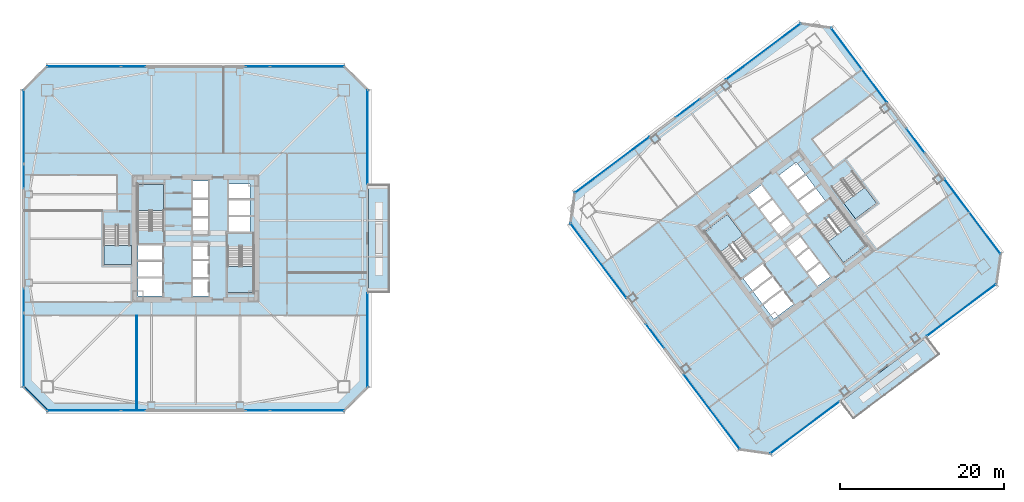
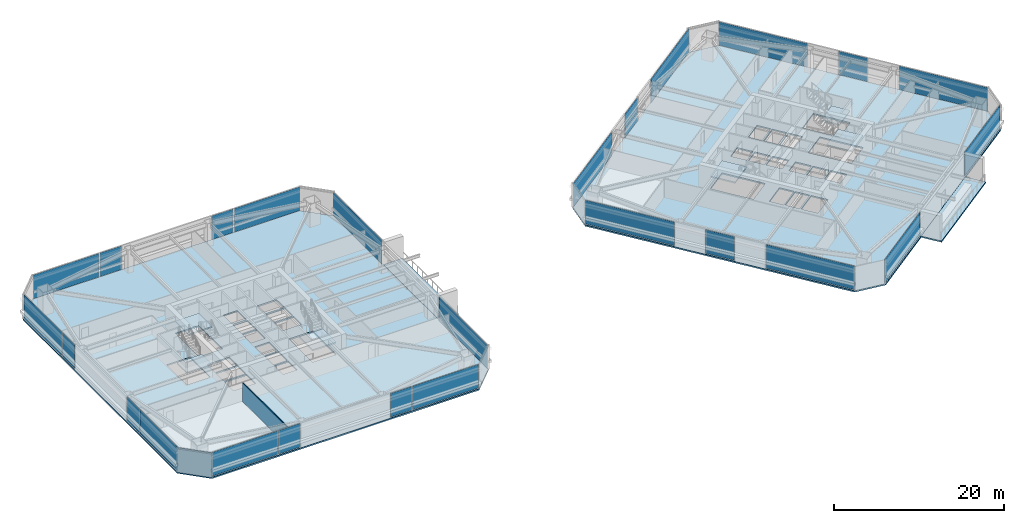
# One storey, part 34 of 46: 25 plates, 10 slabs, 2 walls, 31 elements without a shape of their own.
"""IFC4 building model written with IfcOpenShell, lengths in metres."""

from ifc_helpers import new_model, si_unit, direction, frame, frame_2d, origin, origin_2d, place, context, subcontext, project, spatial, polyline, rectangle, outline, extrude, material, layer, layer_set, type_object, element, aggregate, save


model = new_model("IFC4")

# Units and contexts
model_context = context("Model", 3, precision=1e-05, world=origin(), true_north=direction((0.0, 1.0)))
body_context = subcontext(model_context, "Body", "Model", "MODEL_VIEW")
ifc_project = project(units=[si_unit("LENGTHUNIT", "METRE"), si_unit("AREAUNIT", "SQUARE_METRE"), si_unit("VOLUMEUNIT", "CUBIC_METRE"), si_unit("PLANEANGLEUNIT", "RADIAN"), si_unit("MASSUNIT", "GRAM", prefix="KILO")], contexts=[model_context])

# Site, building, storey
site_placement = place(None, origin())
site = spatial("IfcSite", under=ifc_project, at=site_placement, CompositionType="ELEMENT")
building_placement = place(site_placement, origin())
building = spatial("IfcBuilding", under=site, at=building_placement, Name="Tashvorn Skyway Center", CompositionType="ELEMENT")
storey_placement = place(building_placement, frame((0.0, 0.0, 99.14990234375)))
storey = spatial("IfcBuildingStorey", under=building, at=storey_placement, Name="L26", CompositionType="ELEMENT", Elevation=99.14990234375)

# Curtain wall, plate
ifc_material_1 = material(Name="Thermally broken bronze-anodized aluminium 6063-T6", Category="aluminium")
curtain_wall_type = type_object("IfcCurtainWallType", Name="CW-CW-Z2", PredefinedType="NOTDEFINED", material=ifc_material_1)
curtain_wall_1_placement = place(storey_placement, origin())
curtain_wall_1 = element("IfcCurtainWall", 1, at=curtain_wall_1_placement, inside=storey, type_object=curtain_wall_type, Name="Tower 1 L26 South Unitised Curtain Wall Glazing Group 1", PredefinedType="NOTDEFINED")
ifc_material_2 = material(Name="Low-E solar-control double insulating safety glass", Category="glass")
ifc_layer_1 = layer(ifc_material_2, 0.0439453125)
ifc_layer_set_1 = layer_set([ifc_layer_1], Name="Low-E solar-control double insulating safety glass")
plate_type = type_object("IfcPlateType", Name="CWP-CW-Z2", PredefinedType="CURTAIN_PANEL", material=ifc_layer_set_1)
plate_1_placement = place(storey_placement, frame((55.635009765625, 11.02001953125, 0.080078125), z_axis=(0.0, 0.0, 1.0), x_axis=(-1.0, 0.0, 0.0)))
plate_1 = element("IfcPlate", 2, at=plate_1_placement, type_object=plate_type, Name="CW-Z2 panel 1.1", PredefinedType="CURTAIN_PANEL", context=body_context, shape_type="SweptSolid", body=[
    extrude(rectangle(XDim=8.929931640625, YDim=0.0439453125, at=origin_2d()), origin(), (0.0, 0.0, 1.0), 3.389892578125),
])
aggregate(curtain_wall_1, [plate_1])

curtain_wall_2_placement = place(storey_placement, origin())
curtain_wall_2 = element("IfcCurtainWall", 3, at=curtain_wall_2_placement, inside=storey, type_object=curtain_wall_type, Name="Tower 1 L26 South Unitised Curtain Wall Glazing Group 2", PredefinedType="NOTDEFINED")
plate_2_placement = place(storey_placement, frame((49.574951171875, 11.02001953125, 0.080078125), z_axis=(0.0, 0.0, 1.0), x_axis=(-1.0, 0.0, 0.0)))
plate_2 = element("IfcPlate", 4, at=plate_2_placement, type_object=plate_type, Name="CW-Z2 panel 1.1", PredefinedType="CURTAIN_PANEL", context=body_context, shape_type="SweptSolid", body=[
    extrude(rectangle(XDim=2.8701171875, YDim=0.0439453125, at=origin_2d()), origin(), (0.0, 0.0, 1.0), 3.389892578125),
])
aggregate(curtain_wall_2, [plate_2])

curtain_wall_3_placement = place(storey_placement, origin())
curtain_wall_3 = element("IfcCurtainWall", 5, at=curtain_wall_3_placement, inside=storey, type_object=curtain_wall_type, Name="Tower 1 L26 South Unitised Curtain Wall Glazing Group 3", PredefinedType="NOTDEFINED")
plate_3_placement = place(storey_placement, frame((34.425048828125, 11.02001953125, 0.080078125), z_axis=(0.0, 0.0, 1.0), x_axis=(-1.0, 0.0, 0.0)))
plate_3 = element("IfcPlate", 6, at=plate_3_placement, type_object=plate_type, Name="CW-Z2 panel 1.1", PredefinedType="CURTAIN_PANEL", context=body_context, shape_type="SweptSolid", body=[
    extrude(rectangle(XDim=2.8701171875, YDim=0.0439453125, at=origin_2d()), origin(), (0.0, 0.0, 1.0), 3.389892578125),
])
aggregate(curtain_wall_3, [plate_3])

curtain_wall_4_placement = place(storey_placement, origin())
curtain_wall_4 = element("IfcCurtainWall", 7, at=curtain_wall_4_placement, inside=storey, type_object=curtain_wall_type, Name="Tower 1 L26 South Unitised Curtain Wall Glazing Group 4", PredefinedType="NOTDEFINED")
plate_4_placement = place(storey_placement, frame((28.364990234375, 11.02001953125, 0.080078125), z_axis=(0.0, 0.0, 1.0), x_axis=(-1.0, 0.0, 0.0)))
plate_4 = element("IfcPlate", 8, at=plate_4_placement, type_object=plate_type, Name="CW-Z2 panel 1.1", PredefinedType="CURTAIN_PANEL", context=body_context, shape_type="SweptSolid", body=[
    extrude(rectangle(XDim=8.929931640625, YDim=0.0439453125, at=origin_2d()), origin(), (0.0, 0.0, 1.0), 3.389892578125),
])
aggregate(curtain_wall_4, [plate_4])

curtain_wall_5_placement = place(storey_placement, origin())
curtain_wall_5 = element("IfcCurtainWall", 9, at=curtain_wall_5_placement, inside=storey, type_object=curtain_wall_type, Name="Tower 1 L26 West Unitised Curtain Wall Glazing Group 1", PredefinedType="NOTDEFINED")
plate_5_placement = place(storey_placement, frame((21.02001953125, 18.364990234375, 0.080078125), z_axis=(0.0, 0.0, 1.0), x_axis=(0.0, 1.0, 0.0)))
plate_5 = element("IfcPlate", 10, at=plate_5_placement, type_object=plate_type, Name="CW-Z2 panel 1.1", PredefinedType="CURTAIN_PANEL", context=body_context, shape_type="SweptSolid", body=[
    extrude(rectangle(XDim=8.929931640625, YDim=0.0439453125, at=origin_2d()), origin(), (0.0, 0.0, 1.0), 3.389892578125),
])
aggregate(curtain_wall_5, [plate_5])

curtain_wall_6_placement = place(storey_placement, origin())
curtain_wall_6 = element("IfcCurtainWall", 11, at=curtain_wall_6_placement, inside=storey, type_object=curtain_wall_type, Name="Tower 1 L26 West Unitised Curtain Wall Glazing Group 2", PredefinedType="NOTDEFINED")
plate_6_placement = place(storey_placement, frame((21.02001953125, 24.425048828125, 0.080078125), z_axis=(0.0, 0.0, 1.0), x_axis=(0.0, 1.0, 0.0)))
plate_6 = element("IfcPlate", 12, at=plate_6_placement, type_object=plate_type, Name="CW-Z2 panel 1.1", PredefinedType="CURTAIN_PANEL", context=body_context, shape_type="SweptSolid", body=[
    extrude(rectangle(XDim=2.8701171875, YDim=0.0439453125, at=origin_2d()), origin(), (0.0, 0.0, 1.0), 3.389892578125),
])
aggregate(curtain_wall_6, [plate_6])

curtain_wall_7_placement = place(storey_placement, origin())
curtain_wall_7 = element("IfcCurtainWall", 13, at=curtain_wall_7_placement, inside=storey, type_object=curtain_wall_type, Name="Tower 1 L26 West Unitised Curtain Wall Glazing Group 3", PredefinedType="NOTDEFINED")
plate_7_placement = place(storey_placement, frame((21.02001953125, 39.574951171875, 0.080078125), z_axis=(0.0, 0.0, 1.0), x_axis=(0.0, 1.0, 0.0)))
plate_7 = element("IfcPlate", 14, at=plate_7_placement, type_object=plate_type, Name="CW-Z2 panel 1.1", PredefinedType="CURTAIN_PANEL", context=body_context, shape_type="SweptSolid", body=[
    extrude(rectangle(XDim=2.8701171875, YDim=0.0439453125, at=origin_2d()), origin(), (0.0, 0.0, 1.0), 3.389892578125),
])
aggregate(curtain_wall_7, [plate_7])

curtain_wall_8_placement = place(storey_placement, origin())
curtain_wall_8 = element("IfcCurtainWall", 15, at=curtain_wall_8_placement, inside=storey, type_object=curtain_wall_type, Name="Tower 1 L26 West Unitised Curtain Wall Glazing Group 4", PredefinedType="NOTDEFINED")
plate_8_placement = place(storey_placement, frame((21.02001953125, 45.635009765625, 0.080078125), z_axis=(0.0, 0.0, 1.0), x_axis=(0.0, 1.0, 0.0)))
plate_8 = element("IfcPlate", 16, at=plate_8_placement, type_object=plate_type, Name="CW-Z2 panel 1.1", PredefinedType="CURTAIN_PANEL", context=body_context, shape_type="SweptSolid", body=[
    extrude(rectangle(XDim=8.929931640625, YDim=0.0439453125, at=origin_2d()), origin(), (0.0, 0.0, 1.0), 3.389892578125),
])
aggregate(curtain_wall_8, [plate_8])

curtain_wall_9_placement = place(storey_placement, origin())
curtain_wall_9 = element("IfcCurtainWall", 17, at=curtain_wall_9_placement, inside=storey, type_object=curtain_wall_type, Name="Tower 1 L26 North Unitised Curtain Wall Glazing Group 1", PredefinedType="NOTDEFINED")
plate_9_placement = place(storey_placement, frame((28.364990234375, 52.97998046875, 0.080078125), z_axis=(0.0, 0.0, 1.0), x_axis=(1.0, 0.0, 0.0)))
plate_9 = element("IfcPlate", 18, at=plate_9_placement, type_object=plate_type, Name="CW-Z2 panel 1.1", PredefinedType="CURTAIN_PANEL", context=body_context, shape_type="SweptSolid", body=[
    extrude(rectangle(XDim=8.929931640625, YDim=0.0439453125, at=origin_2d()), origin(), (0.0, 0.0, 1.0), 3.389892578125),
])
aggregate(curtain_wall_9, [plate_9])

curtain_wall_10_placement = place(storey_placement, origin())
curtain_wall_10 = element("IfcCurtainWall", 19, at=curtain_wall_10_placement, inside=storey, type_object=curtain_wall_type, Name="Tower 1 L26 North Unitised Curtain Wall Glazing Group 2", PredefinedType="NOTDEFINED")
plate_10_placement = place(storey_placement, frame((34.425048828125, 52.97998046875, 0.080078125), z_axis=(0.0, 0.0, 1.0), x_axis=(1.0, 0.0, 0.0)))
plate_10 = element("IfcPlate", 20, at=plate_10_placement, type_object=plate_type, Name="CW-Z2 panel 1.1", PredefinedType="CURTAIN_PANEL", context=body_context, shape_type="SweptSolid", body=[
    extrude(rectangle(XDim=2.8701171875, YDim=0.0439453125, at=origin_2d()), origin(), (0.0, 0.0, 1.0), 3.389892578125),
])
aggregate(curtain_wall_10, [plate_10])

curtain_wall_11_placement = place(storey_placement, origin())
curtain_wall_11 = element("IfcCurtainWall", 21, at=curtain_wall_11_placement, inside=storey, type_object=curtain_wall_type, Name="Tower 1 L26 North Unitised Curtain Wall Glazing Group 3", PredefinedType="NOTDEFINED")
plate_11_placement = place(storey_placement, frame((49.574951171875, 52.97998046875, 0.080078125), z_axis=(0.0, 0.0, 1.0), x_axis=(1.0, 0.0, 0.0)))
plate_11 = element("IfcPlate", 22, at=plate_11_placement, type_object=plate_type, Name="CW-Z2 panel 1.1", PredefinedType="CURTAIN_PANEL", context=body_context, shape_type="SweptSolid", body=[
    extrude(rectangle(XDim=2.8701171875, YDim=0.0439453125, at=origin_2d()), origin(), (0.0, 0.0, 1.0), 3.389892578125),
])
aggregate(curtain_wall_11, [plate_11])

curtain_wall_12_placement = place(storey_placement, origin())
curtain_wall_12 = element("IfcCurtainWall", 23, at=curtain_wall_12_placement, inside=storey, type_object=curtain_wall_type, Name="Tower 1 L26 North Unitised Curtain Wall Glazing Group 4", PredefinedType="NOTDEFINED")
plate_12_placement = place(storey_placement, frame((55.635009765625, 52.97998046875, 0.080078125), z_axis=(0.0, 0.0, 1.0), x_axis=(1.0, 0.0, 0.0)))
plate_12 = element("IfcPlate", 24, at=plate_12_placement, type_object=plate_type, Name="CW-Z2 panel 1.1", PredefinedType="CURTAIN_PANEL", context=body_context, shape_type="SweptSolid", body=[
    extrude(rectangle(XDim=8.929931640625, YDim=0.0439453125, at=origin_2d()), origin(), (0.0, 0.0, 1.0), 3.389892578125),
])
aggregate(curtain_wall_12, [plate_12])

curtain_wall_13_placement = place(storey_placement, origin())
curtain_wall_13 = element("IfcCurtainWall", 25, at=curtain_wall_13_placement, inside=storey, type_object=curtain_wall_type, Name="Tower 1 L26 East Curtain Wall L", PredefinedType="NOTDEFINED")
plate_13_placement = place(storey_placement, frame((62.97998046875, 44.389892578125, 0.080078125), z_axis=(0.0, 0.0, 1.0), x_axis=(0.0, -1.0, 0.0)))
plate_13 = element("IfcPlate", 26, at=plate_13_placement, type_object=plate_type, Name="CW-Z2 panel 1.1", PredefinedType="CURTAIN_PANEL", context=body_context, shape_type="SweptSolid", body=[
    extrude(rectangle(XDim=11.419921875, YDim=0.0439453125, at=origin_2d()), origin(), (0.0, 0.0, 1.0), 3.389892578125),
])
aggregate(curtain_wall_13, [plate_13])

curtain_wall_14_placement = place(storey_placement, origin())
curtain_wall_14 = element("IfcCurtainWall", 27, at=curtain_wall_14_placement, inside=storey, type_object=curtain_wall_type, Name="Tower 1 L26 East Curtain Wall R", PredefinedType="NOTDEFINED")
plate_14_placement = place(storey_placement, frame((62.97998046875, 19.610107421875, 0.080078125), z_axis=(0.0, 0.0, 1.0), x_axis=(0.0, -1.0, 0.0)))
plate_14 = element("IfcPlate", 28, at=plate_14_placement, type_object=plate_type, Name="CW-Z2 panel 1.1", PredefinedType="CURTAIN_PANEL", context=body_context, shape_type="SweptSolid", body=[
    extrude(rectangle(XDim=11.419921875, YDim=0.0439453125, at=origin_2d()), origin(), (0.0, 0.0, 1.0), 3.389892578125),
])
aggregate(curtain_wall_14, [plate_14])

curtain_wall_15_placement = place(storey_placement, origin())
curtain_wall_15 = element("IfcCurtainWall", 29, at=curtain_wall_15_placement, inside=storey, type_object=curtain_wall_type, Name="Tower 2 L26 South Curtain Wall L", PredefinedType="NOTDEFINED")
plate_15_placement = place(storey_placement, frame((135.47998046875, 23.260009765625, 0.080078125), z_axis=(0.0, 0.0, 1.0), x_axis=(-0.799999999998, -0.600000000002, 0.0)))
plate_15 = element("IfcPlate", 30, at=plate_15_placement, type_object=plate_type, Name="CW-Z2 panel 1.1", PredefinedType="CURTAIN_PANEL", context=body_context, shape_type="SweptSolid", body=[
    extrude(rectangle(XDim=10.52001953125, YDim=0.0439453125, at=origin_2d()), origin(), (0.0, 0.0, 1.0), 3.389892578125),
])
aggregate(curtain_wall_15, [plate_15])

curtain_wall_16_placement = place(storey_placement, origin())
curtain_wall_16 = element("IfcCurtainWall", 31, at=curtain_wall_16_placement, inside=storey, type_object=curtain_wall_type, Name="Tower 2 L26 South Curtain Wall R", PredefinedType="NOTDEFINED")
plate_16_placement = place(storey_placement, frame((116.3759765625, 8.931884765625, 0.080078125), z_axis=(0.0, 0.0, 1.0), x_axis=(-0.799999999998, -0.600000000002, 0.0)))
plate_16 = element("IfcPlate", 32, at=plate_16_placement, type_object=plate_type, Name="CW-Z2 panel 1.1", PredefinedType="CURTAIN_PANEL", context=body_context, shape_type="SweptSolid", body=[
    extrude(rectangle(XDim=10.52001953125, YDim=0.0439453125, at=origin_2d()), origin(), (0.0, 0.0, 1.0), 3.389892578125),
])
aggregate(curtain_wall_16, [plate_16])

curtain_wall_17_placement = place(storey_placement, origin())
curtain_wall_17 = element("IfcCurtainWall", 33, at=curtain_wall_17_placement, inside=storey, type_object=curtain_wall_type, Name="Tower 2 L26 West Unitised Curtain Wall Glazing Group 1", PredefinedType="NOTDEFINED")
plate_17_placement = place(storey_placement, frame((105.008056640625, 10.85595703125, 0.080078125), z_axis=(0.0, 0.0, 1.0), x_axis=(-0.600000000002, 0.799999999998, 0.0)))
plate_17 = element("IfcPlate", 34, at=plate_17_placement, type_object=plate_type, Name="CW-Z2 panel 1.1", PredefinedType="CURTAIN_PANEL", context=body_context, shape_type="SweptSolid", body=[
    extrude(rectangle(XDim=11.360107421875, YDim=0.0439453125, at=origin_2d()), origin(), (0.0, 0.0, 1.0), 3.389892578125),
])
aggregate(curtain_wall_17, [plate_17])

curtain_wall_18_placement = place(storey_placement, origin())
curtain_wall_18 = element("IfcCurtainWall", 35, at=curtain_wall_18_placement, inside=storey, type_object=curtain_wall_type, Name="Tower 2 L26 West Unitised Curtain Wall Glazing Group 2", PredefinedType="NOTDEFINED")
plate_18_placement = place(storey_placement, frame((98.095947265625, 20.072021484375, 0.080078125), z_axis=(0.0, 0.0, 1.0), x_axis=(-0.600000000002, 0.799999999998, 0.0)))
plate_18 = element("IfcPlate", 36, at=plate_18_placement, type_object=plate_type, Name="CW-Z2 panel 1.1", PredefinedType="CURTAIN_PANEL", context=body_context, shape_type="SweptSolid", body=[
    extrude(rectangle(XDim=3.679931640625, YDim=0.0439453125, at=origin_2d()), origin(), (0.0, 0.0, 1.0), 3.389892578125),
])
aggregate(curtain_wall_18, [plate_18])

curtain_wall_19_placement = place(storey_placement, origin())
curtain_wall_19 = element("IfcCurtainWall", 37, at=curtain_wall_19_placement, inside=storey, type_object=curtain_wall_type, Name="Tower 2 L26 West Unitised Curtain Wall Glazing Group 3", PredefinedType="NOTDEFINED")
plate_19_placement = place(storey_placement, frame((91.18408203125, 29.2880859375, 0.080078125), z_axis=(0.0, 0.0, 1.0), x_axis=(-0.600000000002, 0.799999999998, 0.0)))
plate_19 = element("IfcPlate", 38, at=plate_19_placement, type_object=plate_type, Name="CW-Z2 panel 1.1", PredefinedType="CURTAIN_PANEL", context=body_context, shape_type="SweptSolid", body=[
    extrude(rectangle(XDim=11.360107421875, YDim=0.0439453125, at=origin_2d()), origin(), (0.0, 0.0, 1.0), 3.389892578125),
])
aggregate(curtain_wall_19, [plate_19])

curtain_wall_20_placement = place(storey_placement, origin())
curtain_wall_20 = element("IfcCurtainWall", 39, at=curtain_wall_20_placement, inside=storey, type_object=curtain_wall_type, Name="Tower 2 L26 North Unitised Curtain Wall Glazing Group 1", PredefinedType="NOTDEFINED")
plate_20_placement = place(storey_placement, frame((92.85595703125, 40.991943359375, 0.080078125), z_axis=(0.0, 0.0, 1.0), x_axis=(0.799999999998, 0.600000000002, 0.0)))
plate_20 = element("IfcPlate", 40, at=plate_20_placement, type_object=plate_type, Name="CW-Z2 panel 1.1", PredefinedType="CURTAIN_PANEL", context=body_context, shape_type="SweptSolid", body=[
    extrude(rectangle(XDim=11.360107421875, YDim=0.0439453125, at=origin_2d()), origin(), (0.0, 0.0, 1.0), 3.389892578125),
])
aggregate(curtain_wall_20, [plate_20])

curtain_wall_21_placement = place(storey_placement, origin())
curtain_wall_21 = element("IfcCurtainWall", 41, at=curtain_wall_21_placement, inside=storey, type_object=curtain_wall_type, Name="Tower 2 L26 North Unitised Curtain Wall Glazing Group 2", PredefinedType="NOTDEFINED")
plate_21_placement = place(storey_placement, frame((102.072021484375, 47.904052734375, 0.080078125), z_axis=(0.0, 0.0, 1.0), x_axis=(0.799999999998, 0.600000000002, 0.0)))
plate_21 = element("IfcPlate", 42, at=plate_21_placement, type_object=plate_type, Name="CW-Z2 panel 1.1", PredefinedType="CURTAIN_PANEL", context=body_context, shape_type="SweptSolid", body=[
    extrude(rectangle(XDim=3.679931640625, YDim=0.0439453125, at=origin_2d()), origin(), (0.0, 0.0, 1.0), 3.389892578125),
])
aggregate(curtain_wall_21, [plate_21])

curtain_wall_22_placement = place(storey_placement, origin())
curtain_wall_22 = element("IfcCurtainWall", 43, at=curtain_wall_22_placement, inside=storey, type_object=curtain_wall_type, Name="Tower 2 L26 North Unitised Curtain Wall Glazing Group 3", PredefinedType="NOTDEFINED")
plate_22_placement = place(storey_placement, frame((111.2880859375, 54.81591796875, 0.080078125), z_axis=(0.0, 0.0, 1.0), x_axis=(0.799999999998, 0.600000000002, 0.0)))
plate_22 = element("IfcPlate", 44, at=plate_22_placement, type_object=plate_type, Name="CW-Z2 panel 1.1", PredefinedType="CURTAIN_PANEL", context=body_context, shape_type="SweptSolid", body=[
    extrude(rectangle(XDim=11.360107421875, YDim=0.0439453125, at=origin_2d()), origin(), (0.0, 0.0, 1.0), 3.389892578125),
])
aggregate(curtain_wall_22, [plate_22])

curtain_wall_23_placement = place(storey_placement, origin())
curtain_wall_23 = element("IfcCurtainWall", 45, at=curtain_wall_23_placement, inside=storey, type_object=curtain_wall_type, Name="Tower 2 L26 East Unitised Curtain Wall Glazing Group 1", PredefinedType="NOTDEFINED")
plate_23_placement = place(storey_placement, frame((122.991943359375, 53.14404296875, 0.080078125), z_axis=(0.0, 0.0, 1.0), x_axis=(0.600000000002, -0.799999999998, 0.0)))
plate_23 = element("IfcPlate", 46, at=plate_23_placement, type_object=plate_type, Name="CW-Z2 panel 1.1", PredefinedType="CURTAIN_PANEL", context=body_context, shape_type="SweptSolid", body=[
    extrude(rectangle(XDim=11.360107421875, YDim=0.0439453125, at=origin_2d()), origin(), (0.0, 0.0, 1.0), 3.389892578125),
])
aggregate(curtain_wall_23, [plate_23])

curtain_wall_24_placement = place(storey_placement, origin())
curtain_wall_24 = element("IfcCurtainWall", 47, at=curtain_wall_24_placement, inside=storey, type_object=curtain_wall_type, Name="Tower 2 L26 East Unitised Curtain Wall Glazing Group 2", PredefinedType="NOTDEFINED")
plate_24_placement = place(storey_placement, frame((129.904052734375, 43.927978515625, 0.080078125), z_axis=(0.0, 0.0, 1.0), x_axis=(0.600000000002, -0.799999999998, 0.0)))
plate_24 = element("IfcPlate", 48, at=plate_24_placement, type_object=plate_type, Name="CW-Z2 panel 1.1", PredefinedType="CURTAIN_PANEL", context=body_context, shape_type="SweptSolid", body=[
    extrude(rectangle(XDim=3.679931640625, YDim=0.0439453125, at=origin_2d()), origin(), (0.0, 0.0, 1.0), 3.389892578125),
])
aggregate(curtain_wall_24, [plate_24])

curtain_wall_25_placement = place(storey_placement, origin())
curtain_wall_25 = element("IfcCurtainWall", 49, at=curtain_wall_25_placement, inside=storey, type_object=curtain_wall_type, Name="Tower 2 L26 East Unitised Curtain Wall Glazing Group 3", PredefinedType="NOTDEFINED")
plate_25_placement = place(storey_placement, frame((136.81591796875, 34.7119140625, 0.080078125), z_axis=(0.0, 0.0, 1.0), x_axis=(0.600000000002, -0.799999999998, 0.0)))
plate_25 = element("IfcPlate", 50, at=plate_25_placement, type_object=plate_type, Name="CW-Z2 panel 1.1", PredefinedType="CURTAIN_PANEL", context=body_context, shape_type="SweptSolid", body=[
    extrude(rectangle(XDim=11.360107421875, YDim=0.0439453125, at=origin_2d()), origin(), (0.0, 0.0, 1.0), 3.389892578125),
])
aggregate(curtain_wall_25, [plate_25])

# Slabs
ifc_material_3 = material(Name="Concrete C40/50", Category="concrete")
ifc_layer_2 = layer(ifc_material_3, 0.199951171875)
ifc_layer_set_2 = layer_set([ifc_layer_2], Name="Concrete C40/50")
slab_type_1 = type_object("IfcSlabType", Name="SLAB-FLR-200", PredefinedType="FLOOR", material=ifc_layer_set_2)
slab_1_placement = place(storey_placement, frame((0.0, 0.0, -0.199951171875)))
element("IfcSlab", 51, at=slab_1_placement, inside=storey, type_object=slab_type_1, Name="Tower 1 L26 Composite Floor Slab", PredefinedType="FLOOR", context=body_context, shape_type="SweptSolid", body=[
    extrude(outline(polyline([(23.89990234375, 10.89990234375), (60.10009765625, 10.89990234375), (63.10009765625, 13.89990234375), (63.10009765625, 50.10009765625), (60.10009765625, 53.10009765625), (23.89990234375, 53.10009765625), (20.89990234375, 50.10009765625), (20.89990234375, 13.89990234375), (23.89990234375, 10.89990234375)]), holes=[polyline([(38.10009765625, 33.080078125), (38.10009765625, 38.60009765625), (34.89990234375, 38.60009765625), (34.89990234375, 33.080078125), (38.10009765625, 33.080078125)]), polyline([(45.89990234375, 30.919921875), (45.89990234375, 25.39990234375), (49.10009765625, 25.39990234375), (49.10009765625, 30.919921875), (45.89990234375, 30.919921875)]), polyline([(30.800048828125, 33.52001953125), (30.800048828125, 28.800048828125), (34.0, 28.800048828125), (34.0, 33.52001953125), (30.800048828125, 33.52001953125)]), polyline([(34.949951171875, 29.35009765625), (37.949951171875, 29.35009765625), (37.949951171875, 31.199951171875), (34.949951171875, 31.199951171875), (34.949951171875, 29.35009765625)]), polyline([(34.949951171875, 27.35009765625), (37.949951171875, 27.35009765625), (37.949951171875, 29.199951171875), (34.949951171875, 29.199951171875), (34.949951171875, 27.35009765625)]), polyline([(34.949951171875, 25.0), (37.949951171875, 25.0), (37.949951171875, 27.14990234375), (34.949951171875, 27.14990234375), (34.949951171875, 25.0)]), polyline([(41.64990234375, 25.0), (43.550048828125, 25.0), (43.550048828125, 27.050048828125), (41.64990234375, 27.050048828125), (41.64990234375, 25.0)]), polyline([(41.64990234375, 27.25), (43.550048828125, 27.25), (43.550048828125, 29.300048828125), (41.64990234375, 29.300048828125), (41.64990234375, 27.25)]), polyline([(41.64990234375, 29.5), (43.550048828125, 29.5), (43.550048828125, 31.550048828125), (41.64990234375, 31.550048828125), (41.64990234375, 29.5)]), polyline([(41.64990234375, 32.449951171875), (43.550048828125, 32.449951171875), (43.550048828125, 34.5), (41.64990234375, 34.5), (41.64990234375, 32.449951171875)]), polyline([(41.64990234375, 34.699951171875), (43.550048828125, 34.699951171875), (43.550048828125, 36.75), (41.64990234375, 36.75), (41.64990234375, 34.699951171875)]), polyline([(41.64990234375, 36.949951171875), (43.550048828125, 36.949951171875), (43.550048828125, 39.0), (41.64990234375, 39.0), (41.64990234375, 36.949951171875)]), polyline([(46.050048828125, 32.800048828125), (48.64990234375, 32.800048828125), (48.64990234375, 34.64990234375), (46.050048828125, 34.64990234375), (46.050048828125, 32.800048828125)]), polyline([(46.050048828125, 34.85009765625), (48.64990234375, 34.85009765625), (48.64990234375, 36.699951171875), (46.050048828125, 36.699951171875), (46.050048828125, 34.85009765625)]), polyline([(46.050048828125, 36.89990234375), (48.64990234375, 36.89990234375), (48.64990234375, 38.64990234375), (46.050048828125, 38.64990234375), (46.050048828125, 36.89990234375)])]), origin(), (0.0, 0.0, 1.0), 0.199951171875),
])
slab_2_placement = place(storey_placement, frame((0.0, 0.0, -0.199951171875)))
element("IfcSlab", 52, at=slab_2_placement, inside=storey, type_object=slab_type_1, Name="Tower 2 L26 Composite Floor Slab", PredefinedType="FLOOR", context=body_context, shape_type="SweptSolid", body=[
    extrude(outline(polyline([(112.239990234375, 5.679931640625), (139.760009765625, 26.320068359375), (140.320068359375, 30.239990234375), (119.679931640625, 57.760009765625), (115.760009765625, 58.320068359375), (88.239990234375, 37.679931640625), (87.679931640625, 33.760009765625), (108.320068359375, 6.239990234375), (112.239990234375, 5.679931640625)]), holes=[polyline([(110.23193359375, 30.52392578125), (106.919921875, 34.93994140625), (104.135986328125, 32.85205078125), (107.447998046875, 28.43603515625), (110.23193359375, 30.52392578125)]), polyline([(117.76806640625, 33.47607421875), (121.080078125, 29.06005859375), (123.864013671875, 31.14794921875), (120.552001953125, 35.56396484375), (117.76806640625, 33.47607421875)]), polyline([(119.7119140625, 38.18408203125), (122.5439453125, 34.407958984375), (125.10400390625, 36.327880859375), (122.27197265625, 40.10400390625), (119.7119140625, 38.18408203125)]), polyline([(109.949951171875, 25.64990234375), (112.35009765625, 27.449951171875), (111.239990234375, 28.929931640625), (108.840087890625, 27.1298828125), (109.949951171875, 25.64990234375)]), polyline([(111.14990234375, 24.050048828125), (113.550048828125, 25.85009765625), (112.43994140625, 27.330078125), (110.0400390625, 25.530029296875), (111.14990234375, 24.050048828125)]), polyline([(112.56005859375, 22.169921875), (114.9599609375, 23.969970703125), (113.669921875, 25.68994140625), (111.27001953125, 23.889892578125), (112.56005859375, 22.169921875)]), polyline([(117.919921875, 26.18994140625), (119.43994140625, 27.330078125), (118.2099609375, 28.969970703125), (116.68994140625, 27.830078125), (117.919921875, 26.18994140625)]), polyline([(116.570068359375, 27.989990234375), (118.090087890625, 29.1298828125), (116.860107421875, 30.77001953125), (115.340087890625, 29.6298828125), (116.570068359375, 27.989990234375)]), polyline([(115.219970703125, 29.7900390625), (116.739990234375, 30.929931640625), (115.510009765625, 32.570068359375), (113.989990234375, 31.429931640625), (115.219970703125, 29.7900390625)]), polyline([(113.449951171875, 32.14990234375), (114.969970703125, 33.2900390625), (113.739990234375, 34.929931640625), (112.219970703125, 33.7900390625), (113.449951171875, 32.14990234375)]), polyline([(112.10009765625, 33.949951171875), (113.6201171875, 35.090087890625), (112.389892578125, 36.72998046875), (110.8701171875, 35.590087890625), (112.10009765625, 33.949951171875)]), polyline([(110.75, 35.75), (112.27001953125, 36.889892578125), (111.0400390625, 38.530029296875), (109.52001953125, 37.389892578125), (110.75, 35.75)]), polyline([(116.760009765625, 35.070068359375), (118.840087890625, 36.6298828125), (117.72998046875, 38.110107421875), (115.64990234375, 36.550048828125), (116.760009765625, 35.070068359375)]), polyline([(115.530029296875, 36.7099609375), (117.610107421875, 38.27001953125), (116.5, 39.75), (114.419921875, 38.18994140625), (115.530029296875, 36.7099609375)]), polyline([(114.300048828125, 38.35009765625), (116.3798828125, 39.909912109375), (115.330078125, 41.31005859375), (113.25, 39.75), (114.300048828125, 38.35009765625)])]), origin(), (0.0, 0.0, 1.0), 0.199951171875),
])

# Stair, slab
stair_type = type_object("IfcStairType", Name="STAIR-CORE-1500", PredefinedType="HALF_TURN_STAIR", material=ifc_material_3)
stair_1_placement = place(storey_placement, origin())
stair_1 = element("IfcStair", 53, at=stair_1_placement, inside=storey, type_object=stair_type, Name="L26 Tower 1 Exit Stair 1", PredefinedType="HALF_TURN_STAIR")
ifc_layer_3 = layer(ifc_material_3, 0.199951171875)
ifc_layer_set_3 = layer_set([ifc_layer_3], Name="Concrete C40/50")
slab_type_2 = type_object("IfcSlabType", Name="SLAB-LAND-200", PredefinedType="LANDING", material=ifc_layer_set_3)
slab_3_placement = place(storey_placement, frame((0.0, 0.0, 1.5751953125)))
slab_3 = element("IfcSlab", 54, at=slab_3_placement, type_object=slab_type_2, Name="ST-T1-1 landing 1", PredefinedType="LANDING", context=body_context, shape_type="SweptSolid", body=[
    extrude(outline(polyline([(38.10009765625, 35.43994140625), (38.10009765625, 38.60009765625), (34.89990234375, 38.60009765625), (34.89990234375, 35.43994140625), (38.10009765625, 35.43994140625)])), origin(), (0.0, 0.0, 1.0), 0.199951171875),
])
aggregate(stair_1, [slab_3])

stair_2_placement = place(storey_placement, origin())
stair_2 = element("IfcStair", 55, at=stair_2_placement, inside=storey, type_object=stair_type, Name="L26 Tower 1 Exit Stair 2", PredefinedType="HALF_TURN_STAIR")
slab_4_placement = place(storey_placement, frame((0.0, 0.0, 1.5751953125)))
slab_4 = element("IfcSlab", 56, at=slab_4_placement, type_object=slab_type_2, Name="ST-T1-2 landing 1", PredefinedType="LANDING", context=body_context, shape_type="SweptSolid", body=[
    extrude(outline(polyline([(45.89990234375, 28.56005859375), (45.89990234375, 25.39990234375), (49.10009765625, 25.39990234375), (49.10009765625, 28.56005859375), (45.89990234375, 28.56005859375)])), origin(), (0.0, 0.0, 1.0), 0.199951171875),
])
aggregate(stair_2, [slab_4])

stair_3_placement = place(storey_placement, origin())
stair_3 = element("IfcStair", 57, at=stair_3_placement, inside=storey, type_object=stair_type, Name="L26 Tower 2 Exit Stair 1", PredefinedType="HALF_TURN_STAIR")
slab_5_placement = place(storey_placement, frame((0.0, 0.0, 1.5751953125)))
slab_5 = element("IfcSlab", 58, at=slab_5_placement, type_object=slab_type_2, Name="ST-T2-1 landing 1", PredefinedType="LANDING", context=body_context, shape_type="SweptSolid", body=[
    extrude(outline(polyline([(108.82080078125, 32.405517578125), (106.919921875, 34.93994140625), (104.135986328125, 32.85205078125), (106.036865234375, 30.317626953125), (108.82080078125, 32.405517578125)])), origin(), (0.0, 0.0, 1.0), 0.199951171875),
])
aggregate(stair_3, [slab_5])

stair_4_placement = place(storey_placement, origin())
stair_4 = element("IfcStair", 59, at=stair_4_placement, inside=storey, type_object=stair_type, Name="L26 Tower 2 Exit Stair 2", PredefinedType="HALF_TURN_STAIR")
slab_6_placement = place(storey_placement, frame((0.0, 0.0, 1.5751953125)))
slab_6 = element("IfcSlab", 60, at=slab_6_placement, type_object=slab_type_2, Name="ST-T2-2 landing 1", PredefinedType="LANDING", context=body_context, shape_type="SweptSolid", body=[
    extrude(outline(polyline([(119.17919921875, 31.594482421875), (121.080078125, 29.06005859375), (123.864013671875, 31.14794921875), (121.963134765625, 33.682373046875), (119.17919921875, 31.594482421875)])), origin(), (0.0, 0.0, 1.0), 0.199951171875),
])
aggregate(stair_4, [slab_6])

stair_5_placement = place(storey_placement, origin())
stair_5 = element("IfcStair", 61, at=stair_5_placement, inside=storey, type_object=stair_type, Name="L26 Tower 1 Exit Stair 3", PredefinedType="HALF_TURN_STAIR")
slab_7_placement = place(storey_placement, frame((0.0, 0.0, 1.5751953125)))
slab_7 = element("IfcSlab", 62, at=slab_7_placement, type_object=slab_type_2, Name="ST-T1-3 landing 1", PredefinedType="LANDING", context=body_context, shape_type="SweptSolid", body=[
    extrude(outline(polyline([(30.800048828125, 31.159912109375), (30.800048828125, 28.800048828125), (34.199951171875, 28.800048828125), (34.199951171875, 31.159912109375), (30.800048828125, 31.159912109375)])), origin(), (0.0, 0.0, 1.0), 0.199951171875),
])
aggregate(stair_5, [slab_7])

stair_6_placement = place(storey_placement, origin())
stair_6 = element("IfcStair", 63, at=stair_6_placement, inside=storey, type_object=stair_type, Name="L26 Tower 2 Exit Stair 3", PredefinedType="HALF_TURN_STAIR")
slab_8_placement = place(storey_placement, frame((0.0, 0.0, 1.5751953125)))
slab_8 = element("IfcSlab", 64, at=slab_8_placement, type_object=slab_type_2, Name="ST-T2-3 landing 1", PredefinedType="LANDING", context=body_context, shape_type="SweptSolid", body=[
    extrude(outline(polyline([(121.123291015625, 36.302490234375), (122.5439453125, 34.407958984375), (125.10400390625, 36.327880859375), (123.68310546875, 38.222412109375), (121.123291015625, 36.302490234375)])), origin(), (0.0, 0.0, 1.0), 0.199951171875),
])
aggregate(stair_6, [slab_8])

# Slabs
ifc_layer_4 = layer(ifc_material_3, 0.179931640625)
ifc_layer_set_4 = layer_set([ifc_layer_4], Name="Concrete C40/50")
slab_type_3 = type_object("IfcSlabType", Name="SLAB-TERR-200", PredefinedType="FLOOR", material=ifc_layer_set_4)
slab_9_placement = place(storey_placement, frame((0.0, 0.0, -0.199951171875)))
element("IfcSlab", 65, at=slab_9_placement, inside=storey, type_object=slab_type_3, Name="Tower 1 L26 Sky Garden Slab", PredefinedType="FLOOR", context=body_context, shape_type="SweptSolid", body=[
    extrude(outline(polyline([(63.090087890625, 25.39990234375), (65.699951171875, 25.39990234375), (65.699951171875, 38.60009765625), (63.090087890625, 38.60009765625), (63.090087890625, 25.39990234375)])), origin(), (0.0, 0.0, 1.0), 0.199951171875),
])
slab_10_placement = place(storey_placement, frame((0.0, 0.0, -0.199951171875)))
element("IfcSlab", 66, at=slab_10_placement, inside=storey, type_object=slab_type_3, Name="Tower 2 L26 Sky Garden Slab", PredefinedType="FLOOR", context=body_context, shape_type="SweptSolid", body=[
    extrude(outline(polyline([(122.280029296875, 9.9599609375), (132.840087890625, 17.8798828125), (131.27392578125, 19.968017578125), (120.714111328125, 12.048095703125), (122.280029296875, 9.9599609375)])), origin(), (0.0, 0.0, 1.0), 0.199951171875),
])

# Walls
ifc_material_4 = material(Name="Precast concrete C40/50", Category="concrete")
ifc_layer_5 = layer(ifc_material_4, 0.280029296875)
ifc_layer_set_5 = layer_set([ifc_layer_5], Name="Precast concrete C40/50")
wall_type_1 = type_object("IfcWallType", Name="WALL-EXT-280", PredefinedType="SOLIDWALL", material=ifc_layer_set_5)
wall_1_placement = place(storey_placement, frame((23.89990234375, 11.0, 0.0), z_axis=(0.0, 0.0, 1.0), x_axis=(-0.707106781187, 0.707106781187, 0.0)))
element("IfcWall", 67, at=wall_1_placement, inside=storey, type_object=wall_type_1, Name="Tower 1 L26 SW Precast Chamfer Wall", PredefinedType="SOLIDWALL", context=body_context, shape_type="SweptSolid", body=[
    extrude(rectangle(XDim=4.10107421875, YDim=0.280029296875, at=frame_2d((2.050537109375, 0.0))), origin(), (0.0, 0.0, 1.0), 3.35009765625),
])
ifc_material_5 = material(Name="Gypsum board on cold-formed steel stud framing", Category="steel")
ifc_layer_6 = layer(ifc_material_5, 0.110107421875)
ifc_layer_set_6 = layer_set([ifc_layer_6], Name="Gypsum board on cold-formed steel stud framing")
wall_type_2 = type_object("IfcWallType", Name="WALL-PART-110", PredefinedType="PARTITIONING", material=ifc_layer_set_6)
wall_2_placement = place(storey_placement, frame((34.800048828125, 11.02001953125, 0.0), z_axis=(0.0, 0.0, 1.0), x_axis=(0.0, 1.0, 0.0)))
element("IfcWall", 68, at=wall_2_placement, inside=storey, type_object=wall_type_2, Name="Tower 1 L26 South Suite Partition 1", PredefinedType="PARTITIONING", context=body_context, shape_type="SweptSolid", body=[
    extrude(rectangle(XDim=11.550048828125, YDim=0.110107421875, at=frame_2d((5.77490234375, 0.0))), origin(), (0.0, 0.0, 1.0), 2.703125),
])

save(model, "model.ifc")
